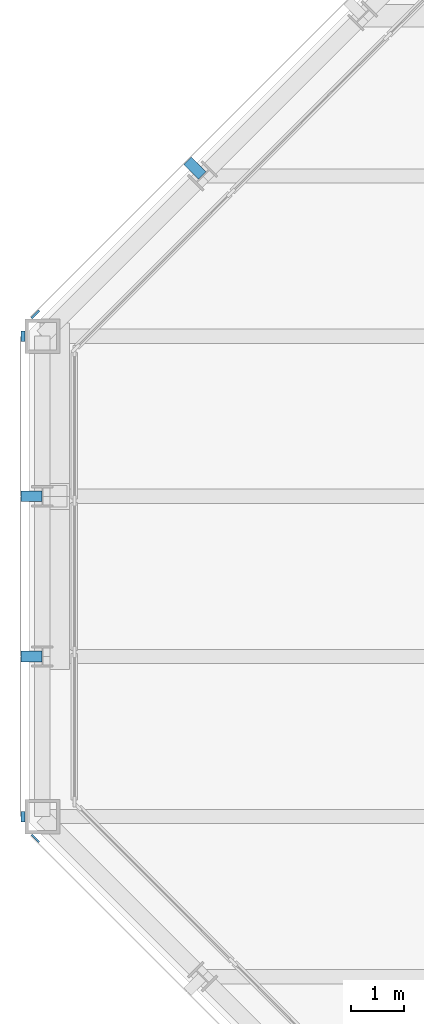
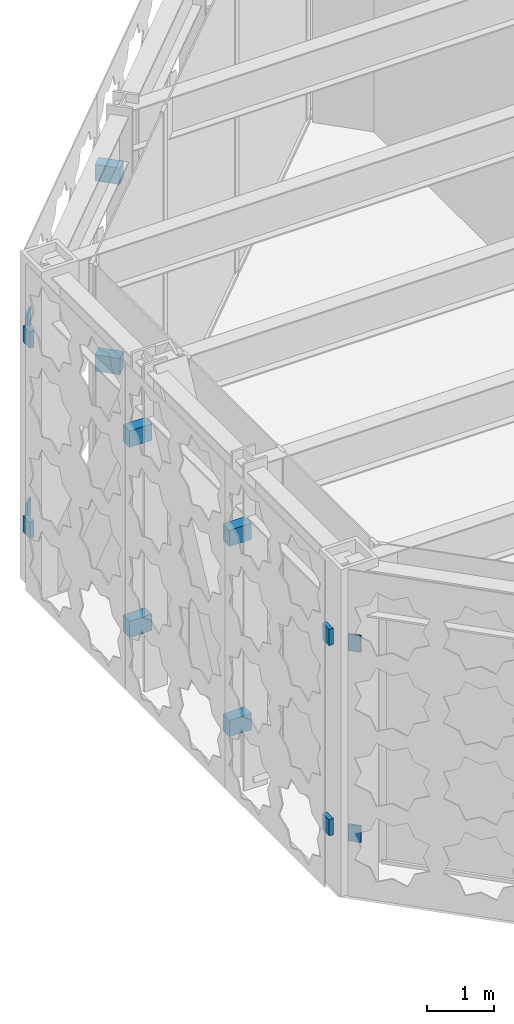
# One storey, part 14 of 28: 14 discrete accessories.
"""IFC4 building model written with IfcOpenShell, lengths in metres."""

from ifc_helpers import new_model, si_unit, direction, frame, origin, origin_2d, place, context, subcontext, project, spatial, rectangle, extrude, material, type_object, element, save


model = new_model("IFC4")

# Units and contexts
model_context = context("Model", 3, precision=1e-05, world=origin(), true_north=direction((0.0, 1.0)))
body_context = subcontext(model_context, "Body", "Model", "MODEL_VIEW")
ifc_project = project(units=[si_unit("LENGTHUNIT", "METRE"), si_unit("AREAUNIT", "SQUARE_METRE"), si_unit("VOLUMEUNIT", "CUBIC_METRE"), si_unit("PLANEANGLEUNIT", "RADIAN"), si_unit("MASSUNIT", "GRAM", prefix="KILO")], contexts=[model_context])

# Site, building, storey
site_placement = place(None, origin())
site = spatial("IfcSite", under=ifc_project, at=site_placement, CompositionType="ELEMENT")
building_placement = place(site_placement, origin())
building = spatial("IfcBuilding", under=site, at=building_placement, Name="Chuquiago Exchange Tower", CompositionType="ELEMENT")
storey_placement = place(building_placement, frame((0.0, 0.0, 300.0)))
storey = spatial("IfcBuildingStorey", under=building, at=storey_placement, Name="L67", CompositionType="ELEMENT", Elevation=300.0)

# Discrete accessories
ifc_material_1 = material(Name="Stainless steel plate bracket", Category="steel")
discrete_accessory_type_1 = type_object("IfcDiscreteAccessoryType", Name="GB1 cladding bracket 388", PredefinedType="BRACKET", material=ifc_material_1)
for number, where, z_axis, x_axis, name in (
    (1, (-0.206298828125, 24.0, 1.0048828125), (0.0, 0.0, 1.0), (0.0, -1.0, 0.0), "Cladding bracket L67 W"),
    (2, (-0.206298828125, 24.0, 4.4951171875), (0.0, 0.0, 1.0), (0.0, -1.0, 0.0), "Cladding bracket L67 W"),
    (3, (-0.206298828125, 21.0, 1.0048828125), (0.0, 0.0, 1.0), (0.0, -1.0, 0.0), "Cladding bracket L67 W"),
    (4, (-0.206298828125, 21.0, 4.4951171875), (0.0, 0.0, 1.0), (0.0, -1.0, 0.0), "Cladding bracket L67 W"),
):
    element("IfcDiscreteAccessory", number, at=place(storey_placement, frame(where, z_axis=z_axis, x_axis=x_axis)), inside=storey, type_object=discrete_accessory_type_1, Name=name, PredefinedType="BRACKET", context=body_context, shape_type="SweptSolid", body=[
        extrude(rectangle(XDim=0.199951171875, YDim=0.3876953125, at=origin_2d()), origin(), (0.0, 0.0, 1.0), 0.300048828125),
    ])
ifc_material_2 = material(Name="Stainless steel plate bracket", Category="steel")
discrete_accessory_type_2 = type_object("IfcDiscreteAccessoryType", Name="GB2 cladding bracket 386", PredefinedType="BRACKET", material=ifc_material_2)
for number, where, z_axis, x_axis, name in (
    (5, (2.853759765625, 30.146240234375, 1.0048828125), (0.0, 0.0, 1.0), (-0.707106781187, -0.707106781187, 0.0), "Cladding bracket L67 NW"),
    (6, (2.853759765625, 30.146240234375, 4.4951171875), (0.0, 0.0, 1.0), (-0.707106781187, -0.707106781187, 0.0), "Cladding bracket L67 NW"),
):
    element("IfcDiscreteAccessory", number, at=place(storey_placement, frame(where, z_axis=z_axis, x_axis=x_axis)), inside=storey, type_object=discrete_accessory_type_2, Name=name, PredefinedType="BRACKET", context=body_context, shape_type="SweptSolid", body=[
        extrude(rectangle(XDim=0.199951171875, YDim=0.386474609375, at=origin_2d()), origin(), (0.0, 0.0, 1.0), 0.300048828125),
    ])
ifc_material_3 = material(Name="Stainless steel plate bracket", Category="steel")
discrete_accessory_type_3 = type_object("IfcDiscreteAccessoryType", Name="GB4 cladding bracket 75", PredefinedType="BRACKET", material=ifc_material_3)
for number, where, z_axis, x_axis, name in (
    (7, (-0.362548828125, 27.0, 1.0048828125), (0.0, 0.0, 1.0), (0.0, -1.0, 0.0), "Cladding bracket L67 W"),
    (8, (-0.362548828125, 27.0, 4.4951171875), (0.0, 0.0, 1.0), (0.0, -1.0, 0.0), "Cladding bracket L67 W"),
    (9, (-0.362548828125, 18.0, 1.0048828125), (0.0, 0.0, 1.0), (0.0, -1.0, 0.0), "Cladding bracket L67 W"),
    (10, (-0.362548828125, 18.0, 4.4951171875), (0.0, 0.0, 1.0), (0.0, -1.0, 0.0), "Cladding bracket L67 W"),
):
    element("IfcDiscreteAccessory", number, at=place(storey_placement, frame(where, z_axis=z_axis, x_axis=x_axis)), inside=storey, type_object=discrete_accessory_type_3, Name=name, PredefinedType="BRACKET", context=body_context, shape_type="SweptSolid", body=[
        extrude(rectangle(XDim=0.199951171875, YDim=0.074951171875, at=origin_2d()), origin(), (0.0, 0.0, 1.0), 0.300048828125),
    ])
ifc_material_4 = material(Name="Stainless steel plate bracket", Category="steel")
discrete_accessory_type_4 = type_object("IfcDiscreteAccessoryType", Name="GB6 cladding bracket 35", PredefinedType="BRACKET", material=ifc_material_4)
for number, where, z_axis, x_axis, name in (
    (11, (-0.132568359375, 27.408203125, 1.0048828125), (0.0, 0.0, 1.0), (-0.707106781187, -0.707106781187, 0.0), "Cladding bracket L67 NW"),
    (12, (-0.132568359375, 27.408203125, 4.4951171875), (0.0, 0.0, 1.0), (-0.707106781187, -0.707106781187, 0.0), "Cladding bracket L67 NW"),
    (13, (-0.13232421875, 17.591796875, 1.0048828125), (0.0, 0.0, 1.0), (0.707106781187, -0.707106781187, 0.0), "Cladding bracket L67 SW"),
    (14, (-0.13232421875, 17.591796875, 4.4951171875), (0.0, 0.0, 1.0), (0.707106781187, -0.707106781187, 0.0), "Cladding bracket L67 SW"),
):
    element("IfcDiscreteAccessory", number, at=place(storey_placement, frame(where, z_axis=z_axis, x_axis=x_axis)), inside=storey, type_object=discrete_accessory_type_4, Name=name, PredefinedType="BRACKET", context=body_context, shape_type="SweptSolid", body=[
        extrude(rectangle(XDim=0.199951171875, YDim=0.035400390625, at=origin_2d()), origin(), (0.0, 0.0, 1.0), 0.300048828125),
    ])

save(model, "model.ifc")
